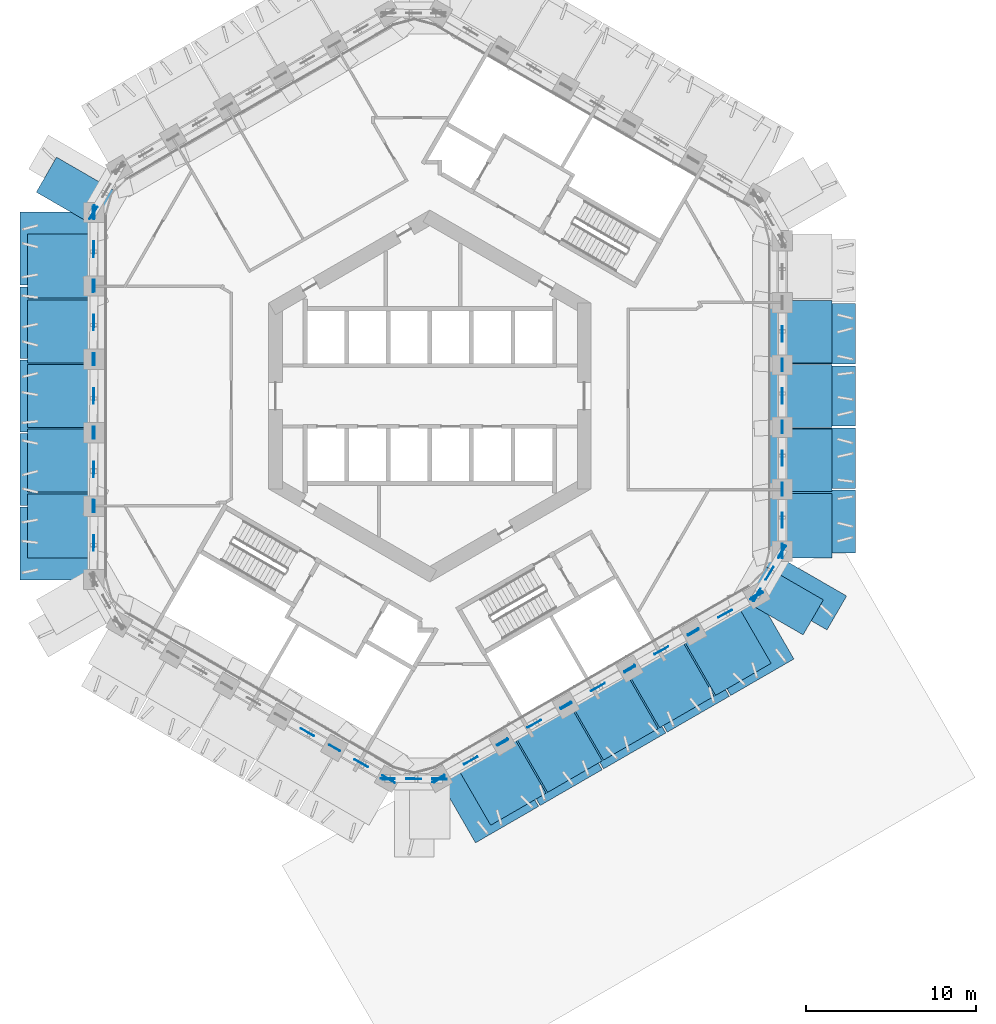
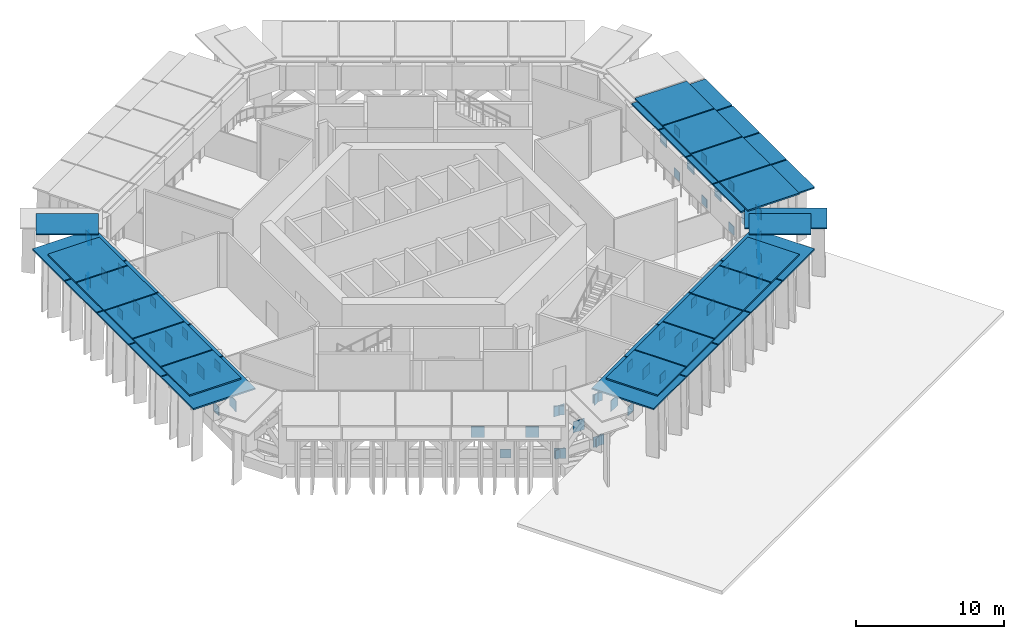
# One storey, part 9 of 16: 92 discrete accessories.
"""IFC4 building model written with IfcOpenShell, lengths in metres."""

from ifc_helpers import new_model, si_unit, direction, frame, origin, origin_2d, place, context, subcontext, project, spatial, rectangle, extrude, material, layer, layer_set, type_object, element, save


model = new_model("IFC4")

# Units and contexts
model_context = context("Model", 3, precision=1e-05, world=origin(), true_north=direction((0.0, 1.0)))
body_context = subcontext(model_context, "Body", "Model", "MODEL_VIEW")
ifc_project = project(units=[si_unit("LENGTHUNIT", "METRE"), si_unit("AREAUNIT", "SQUARE_METRE"), si_unit("VOLUMEUNIT", "CUBIC_METRE"), si_unit("PLANEANGLEUNIT", "RADIAN"), si_unit("MASSUNIT", "GRAM", prefix="KILO")], contexts=[model_context])

# Site, building, storey
site_placement = place(None, origin())
site = spatial("IfcSite", under=ifc_project, at=site_placement, CompositionType="ELEMENT")
building_placement = place(site_placement, origin())
building = spatial("IfcBuilding", under=site, at=building_placement, Name="Ayvan Gate Tower", CompositionType="ELEMENT")
storey_placement = place(building_placement, frame((0.0, 0.0, 78.300048828125)))
storey = spatial("IfcBuildingStorey", under=building, at=storey_placement, Name="L20", CompositionType="ELEMENT", Elevation=78.300048828125)

# Discrete accessories
ifc_material_1 = material(Name="Stainless steel 316", Category="steel")
ifc_layer_1 = layer(ifc_material_1, 0.1201171875)
ifc_layer_set_1 = layer_set([ifc_layer_1], Name="Stainless steel 316")
discrete_accessory_type_1 = type_object("IfcDiscreteAccessoryType", Name="Fin carrier bracket", PredefinedType="BRACKET", material=ifc_layer_set_1)
discrete_accessory_1_placement = place(storey_placement, frame((-21.71435546875, -7.660400390625, 4.679931640625), z_axis=(0.0, 0.0, 1.0), x_axis=(0.0, -1.0, 0.0)))
element("IfcDiscreteAccessory", 1, at=discrete_accessory_1_placement, inside=storey, type_object=discrete_accessory_type_1, Name="Fin carrier 42", PredefinedType="BRACKET", context=body_context, shape_type="SweptSolid", body=[
    extrude(rectangle(XDim=3.779541015625, YDim=4.007568359375, at=origin_2d()), origin(), (0.0, 0.0, 1.0), 0.1201171875),
])
for number, where, z_axis, x_axis, name in (
    (2, (-21.71435546875, -3.813720703125, 4.679931640625), (0.0, 0.0, 1.0), (0.0, -1.0, 0.0), "Fin carrier 44"),
    (3, (-21.71435546875, 0.000244140625, 4.679931640625), (0.0, 0.0, 1.0), (0.0, -1.0, 0.0), "Fin carrier 47"),
    (4, (-21.71435546875, 3.814208984375, 4.679931640625), (0.0, 0.0, 1.0), (0.0, -1.0, 0.0), "Fin carrier 50"),
):
    element("IfcDiscreteAccessory", number, at=place(storey_placement, frame(where, z_axis=z_axis, x_axis=x_axis)), inside=storey, type_object=discrete_accessory_type_1, Name=name, PredefinedType="BRACKET", context=body_context, shape_type="SweptSolid", body=[
        extrude(rectangle(XDim=3.714111328125, YDim=4.007568359375, at=origin_2d()), origin(), (0.0, 0.0, 1.0), 0.1201171875),
    ])
discrete_accessory_2_placement = place(storey_placement, frame((-21.71435546875, 7.66064453125, 4.679931640625), z_axis=(0.0, 0.0, 1.0), x_axis=(0.0, -1.0, 0.0)))
element("IfcDiscreteAccessory", 5, at=discrete_accessory_2_placement, inside=storey, type_object=discrete_accessory_type_1, Name="Fin carrier 53", PredefinedType="BRACKET", context=body_context, shape_type="SweptSolid", body=[
    extrude(rectangle(XDim=3.779052734375, YDim=4.007568359375, at=origin_2d()), origin(), (0.0, 0.0, 1.0), 0.1201171875),
])
discrete_accessory_3_placement = place(storey_placement, frame((-20.7939453125, 12.00537109375, 4.679931640625), z_axis=(0.0, 0.0, 1.0), x_axis=(-0.5, -0.866025403784, 0.0)))
element("IfcDiscreteAccessory", 6, at=discrete_accessory_3_placement, inside=storey, type_object=discrete_accessory_type_1, Name="Fin carrier 85", PredefinedType="BRACKET", context=body_context, shape_type="SweptSolid", body=[
    extrude(rectangle(XDim=2.386474609375, YDim=4.201171875, at=origin_2d()), origin(), (0.0, 0.0, 1.0), 0.1201171875),
])
discrete_accessory_4_placement = place(storey_placement, frame((4.22265625, -22.635498046875, 4.679931640625), z_axis=(0.0, 0.0, 1.0), x_axis=(0.866025403784, 0.5, 0.0)))
element("IfcDiscreteAccessory", 7, at=discrete_accessory_4_placement, inside=storey, type_object=discrete_accessory_type_1, Name="Fin carrier 592", PredefinedType="BRACKET", context=body_context, shape_type="SweptSolid", body=[
    extrude(rectangle(XDim=3.779052734375, YDim=4.007568359375, at=origin_2d()), origin(), (0.0, 0.0, 1.0), 0.1201171875),
])
for number, where, z_axis, x_axis, name in (
    (8, (7.553955078125, -20.712158203125, 4.679931640625), (0.0, 0.0, 1.0), (0.866025403784, 0.5, 0.0), "Fin carrier 655"),
    (9, (10.85693359375, -18.80517578125, 4.679931640625), (0.0, 0.0, 1.0), (0.866025403784, 0.5, 0.0), "Fin carrier 701"),
    (10, (14.159912109375, -16.898193359375, 4.679931640625), (0.0, 0.0, 1.0), (0.866025403784, 0.5, 0.0), "Fin carrier 765"),
):
    element("IfcDiscreteAccessory", number, at=place(storey_placement, frame(where, z_axis=z_axis, x_axis=x_axis)), inside=storey, type_object=discrete_accessory_type_1, Name=name, PredefinedType="BRACKET", context=body_context, shape_type="SweptSolid", body=[
        extrude(rectangle(XDim=3.714111328125, YDim=4.007568359375, at=origin_2d()), origin(), (0.0, 0.0, 1.0), 0.1201171875),
    ])
discrete_accessory_5_placement = place(storey_placement, frame((17.491455078125, -14.974853515625, 4.679931640625), z_axis=(0.0, 0.0, 1.0), x_axis=(0.866025403784, 0.5, 0.0)))
element("IfcDiscreteAccessory", 11, at=discrete_accessory_5_placement, inside=storey, type_object=discrete_accessory_type_1, Name="Fin carrier 817", PredefinedType="BRACKET", context=body_context, shape_type="SweptSolid", body=[
    extrude(rectangle(XDim=3.779541015625, YDim=4.007568359375, at=origin_2d()), origin(), (0.0, 0.0, 1.0), 0.1201171875),
])
discrete_accessory_6_placement = place(storey_placement, frame((20.7939453125, -12.00537109375, 4.679931640625), z_axis=(0.0, 0.0, 1.0), x_axis=(0.5, 0.866025403784, 0.0)))
element("IfcDiscreteAccessory", 12, at=discrete_accessory_6_placement, inside=storey, type_object=discrete_accessory_type_1, Name="Fin carrier 949", PredefinedType="BRACKET", context=body_context, shape_type="SweptSolid", body=[
    extrude(rectangle(XDim=2.386474609375, YDim=4.201171875, at=origin_2d()), origin(), (0.0, 0.0, 1.0), 0.1201171875),
])
discrete_accessory_7_placement = place(storey_placement, frame((21.71435546875, -7.645263671875, 4.679931640625), z_axis=(0.0, 0.0, 1.0), x_axis=(0.0, 1.0, 0.0)))
element("IfcDiscreteAccessory", 13, at=discrete_accessory_7_placement, inside=storey, type_object=discrete_accessory_type_1, Name="Fin carrier 959", PredefinedType="BRACKET", context=body_context, shape_type="SweptSolid", body=[
    extrude(rectangle(XDim=3.81005859375, YDim=4.007568359375, at=origin_2d()), origin(), (0.0, 0.0, 1.0), 0.1201171875),
])
discrete_accessory_8_placement = place(storey_placement, frame((21.71435546875, -3.793701171875, 4.679931640625), z_axis=(0.0, 0.0, 1.0), x_axis=(0.0, 1.0, 0.0)))
element("IfcDiscreteAccessory", 14, at=discrete_accessory_8_placement, inside=storey, type_object=discrete_accessory_type_1, Name="Fin carrier 965", PredefinedType="BRACKET", context=body_context, shape_type="SweptSolid", body=[
    extrude(rectangle(XDim=3.693115234375, YDim=4.007568359375, at=origin_2d()), origin(), (0.0, 0.0, 1.0), 0.1201171875),
])
discrete_accessory_9_placement = place(storey_placement, frame((21.71435546875, -0.000244140625, 4.679931640625), z_axis=(0.0, 0.0, 1.0), x_axis=(0.0, 1.0, 0.0)))
element("IfcDiscreteAccessory", 15, at=discrete_accessory_9_placement, inside=storey, type_object=discrete_accessory_type_1, Name="Fin carrier 971", PredefinedType="BRACKET", context=body_context, shape_type="SweptSolid", body=[
    extrude(rectangle(XDim=3.694091796875, YDim=4.007568359375, at=origin_2d()), origin(), (0.0, 0.0, 1.0), 0.1201171875),
])
discrete_accessory_10_placement = place(storey_placement, frame((21.71435546875, 3.793212890625, 4.679931640625), z_axis=(0.0, 0.0, 1.0), x_axis=(0.0, 1.0, 0.0)))
element("IfcDiscreteAccessory", 16, at=discrete_accessory_10_placement, inside=storey, type_object=discrete_accessory_type_1, Name="Fin carrier 982", PredefinedType="BRACKET", context=body_context, shape_type="SweptSolid", body=[
    extrude(rectangle(XDim=3.693115234375, YDim=4.007568359375, at=origin_2d()), origin(), (0.0, 0.0, 1.0), 0.1201171875),
])
discrete_accessory_11_placement = place(storey_placement, frame((-21.7529296875, -8.693115234375, 4.5), z_axis=(0.0, 0.0, 1.0), x_axis=(0.0, -1.0, 0.0)))
element("IfcDiscreteAccessory", 17, at=discrete_accessory_11_placement, inside=storey, type_object=discrete_accessory_type_1, Name="Fin carrier 1029", PredefinedType="BRACKET", context=body_context, shape_type="SweptSolid", body=[
    extrude(rectangle(XDim=4.29833984375, YDim=4.8349609375, at=origin_2d()), origin(), (0.0, 0.0, 1.0), 0.1201171875),
])
for number, where, z_axis, x_axis, name in (
    (18, (-21.7529296875, -4.329345703125, 4.5), (0.0, 0.0, 1.0), (0.0, -1.0, 0.0), "Fin carrier 1030"),
    (19, (-21.7529296875, -0.000244140625, 4.5), (0.0, 0.0, 1.0), (0.0, -1.0, 0.0), "Fin carrier 1031"),
    (20, (-21.7529296875, 4.32861328125, 4.5), (0.0, 0.0, 1.0), (0.0, -1.0, 0.0), "Fin carrier 1032"),
):
    element("IfcDiscreteAccessory", number, at=place(storey_placement, frame(where, z_axis=z_axis, x_axis=x_axis)), inside=storey, type_object=discrete_accessory_type_1, Name=name, PredefinedType="BRACKET", context=body_context, shape_type="SweptSolid", body=[
        extrude(rectangle(XDim=4.22900390625, YDim=4.8349609375, at=origin_2d()), origin(), (0.0, 0.0, 1.0), 0.1201171875),
    ])
for number, where, z_axis, x_axis, name in (
    (21, (-21.7529296875, 8.692626953125, 4.5), (0.0, 0.0, 1.0), (0.0, -1.0, 0.0), "Fin carrier 1033"),
    (22, (3.348388671875, -23.18505859375, 4.5), (0.0, 0.0, 1.0), (0.866025403784, 0.5, 0.0), "Fin carrier 1090"),
):
    element("IfcDiscreteAccessory", number, at=place(storey_placement, frame(where, z_axis=z_axis, x_axis=x_axis)), inside=storey, type_object=discrete_accessory_type_1, Name=name, PredefinedType="BRACKET", context=body_context, shape_type="SweptSolid", body=[
        extrude(rectangle(XDim=4.299072265625, YDim=4.8349609375, at=origin_2d()), origin(), (0.0, 0.0, 1.0), 0.1201171875),
    ])
for number, where, z_axis, x_axis, name in (
    (23, (7.127685546875, -21.0029296875, 4.5), (0.0, 0.0, 1.0), (0.866025403784, 0.5, 0.0), "Fin carrier 1096"),
    (24, (10.876708984375, -18.838623046875, 4.5), (0.0, 0.0, 1.0), (0.866025403784, 0.5, 0.0), "Fin carrier 1102"),
    (25, (14.625732421875, -16.674072265625, 4.5), (0.0, 0.0, 1.0), (0.866025403784, 0.5, 0.0), "Fin carrier 1108"),
):
    element("IfcDiscreteAccessory", number, at=place(storey_placement, frame(where, z_axis=z_axis, x_axis=x_axis)), inside=storey, type_object=discrete_accessory_type_1, Name=name, PredefinedType="BRACKET", context=body_context, shape_type="SweptSolid", body=[
        extrude(rectangle(XDim=4.22900390625, YDim=4.8349609375, at=origin_2d()), origin(), (0.0, 0.0, 1.0), 0.1201171875),
    ])
discrete_accessory_12_placement = place(storey_placement, frame((18.40478515625, -14.4921875, 4.5), z_axis=(0.0, 0.0, 1.0), x_axis=(0.866025403784, 0.5, 0.0)))
element("IfcDiscreteAccessory", 26, at=discrete_accessory_12_placement, inside=storey, type_object=discrete_accessory_type_1, Name="Fin carrier 1114", PredefinedType="BRACKET", context=body_context, shape_type="SweptSolid", body=[
    extrude(rectangle(XDim=4.29833984375, YDim=4.8349609375, at=origin_2d()), origin(), (0.0, 0.0, 1.0), 0.1201171875),
])
discrete_accessory_13_placement = place(storey_placement, frame((21.60302734375, -11.408203125, 4.5), z_axis=(0.0, 0.0, 1.0), x_axis=(0.5, 0.866025403784, 0.0)))
element("IfcDiscreteAccessory", 27, at=discrete_accessory_13_placement, inside=storey, type_object=discrete_accessory_type_1, Name="Fin carrier 1130", PredefinedType="BRACKET", context=body_context, shape_type="SweptSolid", body=[
    extrude(rectangle(XDim=2.314453125, YDim=5.5478515625, at=origin_2d()), origin(), (0.0, 0.0, 1.0), 0.1201171875),
])
discrete_accessory_14_placement = place(storey_placement, frame((22.2138671875, -7.3955078125, 4.5), z_axis=(0.0, 0.0, 1.0), x_axis=(0.0, 1.0, 0.0)))
element("IfcDiscreteAccessory", 28, at=discrete_accessory_14_placement, inside=storey, type_object=discrete_accessory_type_1, Name="Fin carrier 1132", PredefinedType="BRACKET", context=body_context, shape_type="SweptSolid", body=[
    extrude(rectangle(XDim=3.700927734375, YDim=5.756591796875, at=origin_2d()), origin(), (0.0, 0.0, 1.0), 0.1201171875),
])
discrete_accessory_15_placement = place(storey_placement, frame((22.2138671875, -3.663330078125, 4.5), z_axis=(0.0, 0.0, 1.0), x_axis=(0.0, 1.0, 0.0)))
element("IfcDiscreteAccessory", 29, at=discrete_accessory_15_placement, inside=storey, type_object=discrete_accessory_type_1, Name="Fin carrier 1133", PredefinedType="BRACKET", context=body_context, shape_type="SweptSolid", body=[
    extrude(rectangle(XDim=3.56298828125, YDim=5.756591796875, at=origin_2d()), origin(), (0.0, 0.0, 1.0), 0.1201171875),
])
discrete_accessory_16_placement = place(storey_placement, frame((22.2138671875, 0.0, 4.5), z_axis=(0.0, 0.0, 1.0), x_axis=(0.0, 1.0, 0.0)))
element("IfcDiscreteAccessory", 30, at=discrete_accessory_16_placement, inside=storey, type_object=discrete_accessory_type_1, Name="Fin carrier 1134", PredefinedType="BRACKET", context=body_context, shape_type="SweptSolid", body=[
    extrude(rectangle(XDim=3.56396484375, YDim=5.756591796875, at=origin_2d()), origin(), (0.0, 0.0, 1.0), 0.1201171875),
])
discrete_accessory_17_placement = place(storey_placement, frame((22.2138671875, 3.66357421875, 4.5), z_axis=(0.0, 0.0, 1.0), x_axis=(0.0, 1.0, 0.0)))
element("IfcDiscreteAccessory", 31, at=discrete_accessory_17_placement, inside=storey, type_object=discrete_accessory_type_1, Name="Fin carrier 1135", PredefinedType="BRACKET", context=body_context, shape_type="SweptSolid", body=[
    extrude(rectangle(XDim=3.56298828125, YDim=5.756591796875, at=origin_2d()), origin(), (0.0, 0.0, 1.0), 0.1201171875),
])
ifc_material_2 = material(Name="Steel S460ML", Category="steel")
ifc_layer_2 = layer(ifc_material_2, 0.044921875)
ifc_layer_set_2 = layer_set([ifc_layer_2], Name="Steel S460ML")
discrete_accessory_type_2 = type_object("IfcDiscreteAccessoryType", Name="Gusset plate 45 mm", PredefinedType="BRACKET", material=ifc_layer_set_2)
for number, where, z_axis, x_axis, name in (
    (32, (20.78466796875, -9.194580078125, 0.08984375), (0.0, 0.0, 1.0), (0.0, 1.0, 0.0), "Gusset plate BT1-DA-1"),
    (33, (20.78466796875, -5.473876953125, 3.64013671875), (0.0, 0.0, 1.0), (0.0, 1.0, 0.0), "Gusset plate BT1-DA-1"),
    (34, (-19.793212890625, 10.84033203125, 3.64013671875), (0.0, 0.0, 1.0), (0.489418980472, 0.872048772463, 0.0), "Gusset plate BT1-DA-18"),
    (35, (-19.85498046875, 10.8046875, 0.08984375), (0.0, 0.0, 1.0), (-0.014407194518, 0.999896210987, 0.0), "Gusset plate BT1-DA-19"),
    (36, (-19.793212890625, 6.504150390625, 3.64013671875), (0.0, 0.0, 1.0), (-0.014407194518, 0.999896210987, 0.0), "Gusset plate BT1-DA-19"),
    (37, (20.78466796875, -1.82470703125, 3.64013671875), (0.0, 0.0, 1.0), (0.0, 1.0, 0.0), "Gusset plate BT1-DA-2"),
    (38, (-19.793212890625, 2.168212890625, 3.64013671875), (0.0, 0.0, 1.0), (-0.014360075504, 0.9998968888, 0.0), "Gusset plate BT1-DA-20"),
    (39, (-19.793212890625, -2.168212890625, 3.64013671875), (0.0, 0.0, 1.0), (-0.014312956457, 0.999897564392, 0.0), "Gusset plate BT1-DA-21"),
    (40, (-19.793212890625, -6.504150390625, 3.64013671875), (0.0, 0.0, 1.0), (-0.014265837378, 0.999898237764, 0.0), "Gusset plate BT1-DA-22"),
    (41, (-2.491455078125, -22.5615234375, 3.64013671875), (0.0, 0.0, 1.0), (-0.866025403784, 0.5, 0.0), "Gusset plate BT1-DA-29"),
    (42, (20.78466796875, 1.82470703125, 3.64013671875), (0.0, 0.0, 1.0), (0.0, 1.0, 0.0), "Gusset plate BT1-DA-3"),
    (43, (-2.429443359375, -22.597412109375, 0.08984375), (0.0, 0.0, 1.0), (0.999925880528, 0.012175116049, 0.0), "Gusset plate BT1-DA-30"),
    (44, (0.508544921875, -22.5615234375, 3.64013671875), (0.0, 0.0, 1.0), (0.999925880528, 0.012175116049, 0.0), "Gusset plate BT1-DA-30"),
    (45, (0.570556640625, -22.597412109375, 0.08984375), (0.0, 0.0, 1.0), (0.858731922603, 0.512425101944, 0.0), "Gusset plate BT1-DA-31"),
    (46, (4.263916015625, -20.3935546875, 3.64013671875), (0.0, 0.0, 1.0), (0.858731922603, 0.512425101944, 0.0), "Gusset plate BT1-DA-31"),
    (47, (8.01904296875, -18.225341796875, 3.64013671875), (0.0, 0.0, 1.0), (0.858756069114, 0.512384634586, 0.0), "Gusset plate BT1-DA-32"),
    (48, (11.774169921875, -16.057373046875, 3.64013671875), (0.0, 0.0, 1.0), (0.858780213717, 0.512344166091, 0.0), "Gusset plate BT1-DA-33"),
    (49, (15.529296875, -13.889404296875, 3.64013671875), (0.0, 0.0, 1.0), (0.858804356414, 0.512303696458, 0.0), "Gusset plate BT1-DA-34"),
    (50, (19.28466796875, -11.72119140625, 3.64013671875), (0.0, 0.0, 1.0), (0.858828497203, 0.512263225687, 0.0), "Gusset plate BT1-DA-35"),
    (51, (19.28466796875, -11.792724609375, 0.08984375), (0.0, 0.0, 1.0), (0.489848128624, 0.87180778322, 0.0), "Gusset plate BT1-DA-36"),
    (52, (20.78466796875, -9.123046875, 3.64013671875), (0.0, 0.0, 1.0), (0.489848128624, 0.87180778322, 0.0), "Gusset plate BT1-DA-36"),
    (53, (20.78466796875, -5.516845703125, 0.08984375), (0.0, 0.0, 1.0), (0.0, 1.0, 0.0), "Gusset plate BT1-DB-1"),
):
    element("IfcDiscreteAccessory", number, at=place(storey_placement, frame(where, z_axis=z_axis, x_axis=x_axis)), inside=storey, type_object=discrete_accessory_type_2, Name=name, PredefinedType="BRACKET", context=body_context, shape_type="SweptSolid", body=[
        extrude(rectangle(XDim=0.719970703125, YDim=0.044921875, at=origin_2d()), origin(), (0.0, 0.0, 1.0), 0.719970703125),
    ])
discrete_accessory_18_placement = place(storey_placement, frame((20.78466796875, -7.326904296875, 1.7841796875), z_axis=(0.0, 0.0, 1.0), x_axis=(0.0, 1.0, 0.0)))
element("IfcDiscreteAccessory", 54, at=discrete_accessory_18_placement, inside=storey, type_object=discrete_accessory_type_2, Name="Gusset plate BT1-DB-1", PredefinedType="BRACKET", context=body_context, shape_type="SweptSolid", body=[
    extrude(rectangle(XDim=0.898193359375, YDim=0.044921875, at=origin_2d()), origin(), (0.0, 0.0, 1.0), 0.8955078125),
])
discrete_accessory_19_placement = place(storey_placement, frame((-19.85498046875, 10.8046875, 0.0361328125), z_axis=(0.0, 0.0, 1.0), x_axis=(0.510083623173, 0.860124814995, 0.0)))
element("IfcDiscreteAccessory", 55, at=discrete_accessory_19_placement, inside=storey, type_object=discrete_accessory_type_2, Name="Gusset plate BT1-DB-18", PredefinedType="BRACKET", context=body_context, shape_type="SweptSolid", body=[
    extrude(rectangle(XDim=0.827880859375, YDim=0.044921875, at=origin_2d()), origin(), (0.0, 0.0, 1.0), 0.827880859375),
])
discrete_accessory_20_placement = place(storey_placement, frame((-19.85498046875, 6.48291015625, 0.08984375), z_axis=(0.0, 0.0, 1.0), x_axis=(0.014218718268, 0.999898908916, 0.0)))
element("IfcDiscreteAccessory", 56, at=discrete_accessory_20_placement, inside=storey, type_object=discrete_accessory_type_2, Name="Gusset plate BT1-DB-19", PredefinedType="BRACKET", context=body_context, shape_type="SweptSolid", body=[
    extrude(rectangle(XDim=0.719970703125, YDim=0.044921875, at=origin_2d()), origin(), (0.0, 0.0, 1.0), 0.719970703125),
])
discrete_accessory_21_placement = place(storey_placement, frame((-19.82421875, 8.657958984375, 1.7802734375), z_axis=(0.0, 0.0, 1.0), x_axis=(0.014218718268, 0.999898908916, 0.0)))
element("IfcDiscreteAccessory", 57, at=discrete_accessory_21_placement, inside=storey, type_object=discrete_accessory_type_2, Name="Gusset plate BT1-DB-19", PredefinedType="BRACKET", context=body_context, shape_type="SweptSolid", body=[
    extrude(rectangle(XDim=0.920654296875, YDim=0.044921875, at=origin_2d()), origin(), (0.0, 0.0, 1.0), 0.883544921875),
])
discrete_accessory_22_placement = place(storey_placement, frame((20.78466796875, -1.8388671875, 0.08984375), z_axis=(0.0, 0.0, 1.0), x_axis=(0.0, 1.0, 0.0)))
element("IfcDiscreteAccessory", 58, at=discrete_accessory_22_placement, inside=storey, type_object=discrete_accessory_type_2, Name="Gusset plate BT1-DB-2", PredefinedType="BRACKET", context=body_context, shape_type="SweptSolid", body=[
    extrude(rectangle(XDim=0.719970703125, YDim=0.044921875, at=origin_2d()), origin(), (0.0, 0.0, 1.0), 0.719970703125),
])
discrete_accessory_23_placement = place(storey_placement, frame((20.78466796875, -3.66357421875, 1.78466796875), z_axis=(0.0, 0.0, 1.0), x_axis=(0.0, 1.0, 0.0)))
element("IfcDiscreteAccessory", 59, at=discrete_accessory_23_placement, inside=storey, type_object=discrete_accessory_type_2, Name="Gusset plate BT1-DB-2", PredefinedType="BRACKET", context=body_context, shape_type="SweptSolid", body=[
    extrude(rectangle(XDim=0.89892578125, YDim=0.044921875, at=origin_2d()), origin(), (0.0, 0.0, 1.0), 0.894775390625),
])
discrete_accessory_24_placement = place(storey_placement, frame((-19.85498046875, 2.160888671875, 0.08984375), z_axis=(0.0, 0.0, 1.0), x_axis=(0.014265837378, 0.999898237764, 0.0)))
element("IfcDiscreteAccessory", 60, at=discrete_accessory_24_placement, inside=storey, type_object=discrete_accessory_type_2, Name="Gusset plate BT1-DB-20", PredefinedType="BRACKET", context=body_context, shape_type="SweptSolid", body=[
    extrude(rectangle(XDim=0.719970703125, YDim=0.044921875, at=origin_2d()), origin(), (0.0, 0.0, 1.0), 0.719970703125),
])
discrete_accessory_25_placement = place(storey_placement, frame((-19.82421875, 4.3291015625, 1.7802734375), z_axis=(0.0, 0.0, 1.0), x_axis=(0.014265837378, 0.999898237764, 0.0)))
element("IfcDiscreteAccessory", 61, at=discrete_accessory_25_placement, inside=storey, type_object=discrete_accessory_type_2, Name="Gusset plate BT1-DB-20", PredefinedType="BRACKET", context=body_context, shape_type="SweptSolid", body=[
    extrude(rectangle(XDim=0.92041015625, YDim=0.044921875, at=origin_2d()), origin(), (0.0, 0.0, 1.0), 0.8837890625),
])
discrete_accessory_26_placement = place(storey_placement, frame((-19.85498046875, -2.160888671875, 0.08984375), z_axis=(0.0, 0.0, 1.0), x_axis=(0.014312956457, 0.999897564392, 0.0)))
element("IfcDiscreteAccessory", 62, at=discrete_accessory_26_placement, inside=storey, type_object=discrete_accessory_type_2, Name="Gusset plate BT1-DB-21", PredefinedType="BRACKET", context=body_context, shape_type="SweptSolid", body=[
    extrude(rectangle(XDim=0.719970703125, YDim=0.044921875, at=origin_2d()), origin(), (0.0, 0.0, 1.0), 0.719970703125),
])
discrete_accessory_27_placement = place(storey_placement, frame((-19.82421875, 0.0, 1.7802734375), z_axis=(0.0, 0.0, 1.0), x_axis=(0.014312956457, 0.999897564392, 0.0)))
element("IfcDiscreteAccessory", 63, at=discrete_accessory_27_placement, inside=storey, type_object=discrete_accessory_type_2, Name="Gusset plate BT1-DB-21", PredefinedType="BRACKET", context=body_context, shape_type="SweptSolid", body=[
    extrude(rectangle(XDim=0.920166015625, YDim=0.044921875, at=origin_2d()), origin(), (0.0, 0.0, 1.0), 0.884033203125),
])
discrete_accessory_28_placement = place(storey_placement, frame((-19.85498046875, -6.48291015625, 0.08984375), z_axis=(0.0, 0.0, 1.0), x_axis=(0.014360075504, 0.9998968888, 0.0)))
element("IfcDiscreteAccessory", 64, at=discrete_accessory_28_placement, inside=storey, type_object=discrete_accessory_type_2, Name="Gusset plate BT1-DB-22", PredefinedType="BRACKET", context=body_context, shape_type="SweptSolid", body=[
    extrude(rectangle(XDim=0.719970703125, YDim=0.044921875, at=origin_2d()), origin(), (0.0, 0.0, 1.0), 0.719970703125),
])
discrete_accessory_29_placement = place(storey_placement, frame((-19.82421875, -4.3291015625, 1.77978515625), z_axis=(0.0, 0.0, 1.0), x_axis=(0.014360075504, 0.9998968888, 0.0)))
element("IfcDiscreteAccessory", 65, at=discrete_accessory_29_placement, inside=storey, type_object=discrete_accessory_type_2, Name="Gusset plate BT1-DB-22", PredefinedType="BRACKET", context=body_context, shape_type="SweptSolid", body=[
    extrude(rectangle(XDim=0.919921875, YDim=0.044921875, at=origin_2d()), origin(), (0.0, 0.0, 1.0), 0.884521484375),
])
discrete_accessory_30_placement = place(storey_placement, frame((-19.82421875, -8.657958984375, 1.77978515625), z_axis=(0.0, 0.0, 1.0), x_axis=(0.014407194518, 0.999896210987, 0.0)))
element("IfcDiscreteAccessory", 66, at=discrete_accessory_30_placement, inside=storey, type_object=discrete_accessory_type_2, Name="Gusset plate BT1-DB-23", PredefinedType="BRACKET", context=body_context, shape_type="SweptSolid", body=[
    extrude(rectangle(XDim=0.919677734375, YDim=0.044921875, at=origin_2d()), origin(), (0.0, 0.0, 1.0), 0.884765625),
])
discrete_accessory_31_placement = place(storey_placement, frame((-5.614501953125, -20.75830078125, 0.08984375), z_axis=(0.0, 0.0, 1.0), x_axis=(-0.866025403784, 0.5, 0.0)))
element("IfcDiscreteAccessory", 67, at=discrete_accessory_31_placement, inside=storey, type_object=discrete_accessory_type_2, Name="Gusset plate BT1-DB-28", PredefinedType="BRACKET", context=body_context, shape_type="SweptSolid", body=[
    extrude(rectangle(XDim=0.719970703125, YDim=0.044921875, at=origin_2d()), origin(), (0.0, 0.0, 1.0), 0.719970703125),
])
discrete_accessory_32_placement = place(storey_placement, frame((-7.219482421875, -19.831787109375, 1.78515625), z_axis=(0.0, 0.0, 1.0), x_axis=(-0.866025403784, 0.5, 0.0)))
element("IfcDiscreteAccessory", 68, at=discrete_accessory_32_placement, inside=storey, type_object=discrete_accessory_type_2, Name="Gusset plate BT1-DB-28", PredefinedType="BRACKET", context=body_context, shape_type="SweptSolid", body=[
    extrude(rectangle(XDim=0.900390625, YDim=0.044921875, at=origin_2d()), origin(), (0.0, 0.0, 1.0), 0.893310546875),
])
discrete_accessory_33_placement = place(storey_placement, frame((-2.429443359375, -22.597412109375, 0.0361328125), z_axis=(0.0, 0.0, 1.0), x_axis=(-0.866025403784, 0.5, 0.0)))
element("IfcDiscreteAccessory", 69, at=discrete_accessory_33_placement, inside=storey, type_object=discrete_accessory_type_2, Name="Gusset plate BT1-DB-29", PredefinedType="BRACKET", context=body_context, shape_type="SweptSolid", body=[
    extrude(rectangle(XDim=0.827880859375, YDim=0.044921875, at=origin_2d()), origin(), (0.0, 0.0, 1.0), 0.827880859375),
])
discrete_accessory_34_placement = place(storey_placement, frame((-4.046875, -21.66357421875, 1.78564453125), z_axis=(0.0, 0.0, 1.0), x_axis=(-0.866025403784, 0.5, 0.0)))
element("IfcDiscreteAccessory", 70, at=discrete_accessory_34_placement, inside=storey, type_object=discrete_accessory_type_2, Name="Gusset plate BT1-DB-29", PredefinedType="BRACKET", context=body_context, shape_type="SweptSolid", body=[
    extrude(rectangle(XDim=0.90087890625, YDim=0.044921875, at=origin_2d()), origin(), (0.0, 0.0, 1.0), 0.892578125),
])
discrete_accessory_35_placement = place(storey_placement, frame((20.78466796875, 1.8388671875, 0.08984375), z_axis=(0.0, 0.0, 1.0), x_axis=(0.0, 1.0, 0.0)))
element("IfcDiscreteAccessory", 71, at=discrete_accessory_35_placement, inside=storey, type_object=discrete_accessory_type_2, Name="Gusset plate BT1-DB-3", PredefinedType="BRACKET", context=body_context, shape_type="SweptSolid", body=[
    extrude(rectangle(XDim=0.719970703125, YDim=0.044921875, at=origin_2d()), origin(), (0.0, 0.0, 1.0), 0.719970703125),
])
discrete_accessory_36_placement = place(storey_placement, frame((20.78466796875, 0.0, 1.784912109375), z_axis=(0.0, 0.0, 1.0), x_axis=(0.0, 1.0, 0.0)))
element("IfcDiscreteAccessory", 72, at=discrete_accessory_36_placement, inside=storey, type_object=discrete_accessory_type_2, Name="Gusset plate BT1-DB-3", PredefinedType="BRACKET", context=body_context, shape_type="SweptSolid", body=[
    extrude(rectangle(XDim=0.899658203125, YDim=0.044921875, at=origin_2d()), origin(), (0.0, 0.0, 1.0), 0.89404296875),
])
discrete_accessory_37_placement = place(storey_placement, frame((0.570556640625, -22.597412109375, 0.0361328125), z_axis=(0.0, 0.0, 1.0), x_axis=(-0.999931751798, 0.011682968225, 0.0)))
element("IfcDiscreteAccessory", 73, at=discrete_accessory_37_placement, inside=storey, type_object=discrete_accessory_type_2, Name="Gusset plate BT1-DB-30", PredefinedType="BRACKET", context=body_context, shape_type="SweptSolid", body=[
    extrude(rectangle(XDim=0.827880859375, YDim=0.044921875, at=origin_2d()), origin(), (0.0, 0.0, 1.0), 0.827880859375),
])
discrete_accessory_38_placement = place(storey_placement, frame((-0.96044921875, -22.579345703125, 1.767578125), z_axis=(0.0, 0.0, 1.0), x_axis=(-0.999931751798, 0.011682968225, 0.0)))
element("IfcDiscreteAccessory", 74, at=discrete_accessory_38_placement, inside=storey, type_object=discrete_accessory_type_2, Name="Gusset plate BT1-DB-30", PredefinedType="BRACKET", context=body_context, shape_type="SweptSolid", body=[
    extrude(rectangle(XDim=0.887451171875, YDim=0.044921875, at=origin_2d()), origin(), (0.0, 0.0, 1.0), 0.914306640625),
])
discrete_accessory_39_placement = place(storey_placement, frame((4.313232421875, -20.436279296875, 0.08984375), z_axis=(0.0, 0.0, 1.0), x_axis=(0.873047215471, 0.487635683228, 0.0)))
element("IfcDiscreteAccessory", 75, at=discrete_accessory_39_placement, inside=storey, type_object=discrete_accessory_type_2, Name="Gusset plate BT1-DB-31", PredefinedType="BRACKET", context=body_context, shape_type="SweptSolid", body=[
    extrude(rectangle(XDim=0.719970703125, YDim=0.044921875, at=origin_2d()), origin(), (0.0, 0.0, 1.0), 0.719970703125),
])
discrete_accessory_40_placement = place(storey_placement, frame((2.4140625, -21.497314453125, 1.7802734375), z_axis=(0.0, 0.0, 1.0), x_axis=(0.873047215471, 0.487635683228, 0.0)))
element("IfcDiscreteAccessory", 76, at=discrete_accessory_40_placement, inside=storey, type_object=discrete_accessory_type_2, Name="Gusset plate BT1-DB-31", PredefinedType="BRACKET", context=body_context, shape_type="SweptSolid", body=[
    extrude(rectangle(XDim=0.920654296875, YDim=0.044921875, at=origin_2d()), origin(), (0.0, 0.0, 1.0), 0.883544921875),
])
discrete_accessory_41_placement = place(storey_placement, frame((8.05615234375, -18.275390625, 0.08984375), z_axis=(0.0, 0.0, 1.0), x_axis=(0.873070193792, 0.487594541306, 0.0)))
element("IfcDiscreteAccessory", 77, at=discrete_accessory_41_placement, inside=storey, type_object=discrete_accessory_type_2, Name="Gusset plate BT1-DB-32", PredefinedType="BRACKET", context=body_context, shape_type="SweptSolid", body=[
    extrude(rectangle(XDim=0.719970703125, YDim=0.044921875, at=origin_2d()), origin(), (0.0, 0.0, 1.0), 0.719970703125),
])
discrete_accessory_42_placement = place(storey_placement, frame((6.1630859375, -19.332763671875, 1.7802734375), z_axis=(0.0, 0.0, 1.0), x_axis=(0.873070193792, 0.487594541306, 0.0)))
element("IfcDiscreteAccessory", 78, at=discrete_accessory_42_placement, inside=storey, type_object=discrete_accessory_type_2, Name="Gusset plate BT1-DB-32", PredefinedType="BRACKET", context=body_context, shape_type="SweptSolid", body=[
    extrude(rectangle(XDim=0.92041015625, YDim=0.044921875, at=origin_2d()), origin(), (0.0, 0.0, 1.0), 0.8837890625),
])
discrete_accessory_43_placement = place(storey_placement, frame((11.799072265625, -16.114501953125, 0.08984375), z_axis=(0.0, 0.0, 1.0), x_axis=(0.873093170174, 0.487553398301, 0.0)))
element("IfcDiscreteAccessory", 79, at=discrete_accessory_43_placement, inside=storey, type_object=discrete_accessory_type_2, Name="Gusset plate BT1-DB-33", PredefinedType="BRACKET", context=body_context, shape_type="SweptSolid", body=[
    extrude(rectangle(XDim=0.719970703125, YDim=0.044921875, at=origin_2d()), origin(), (0.0, 0.0, 1.0), 0.719970703125),
])
discrete_accessory_44_placement = place(storey_placement, frame((9.912109375, -17.168212890625, 1.7802734375), z_axis=(0.0, 0.0, 1.0), x_axis=(0.873093170174, 0.487553398301, 0.0)))
element("IfcDiscreteAccessory", 80, at=discrete_accessory_44_placement, inside=storey, type_object=discrete_accessory_type_2, Name="Gusset plate BT1-DB-33", PredefinedType="BRACKET", context=body_context, shape_type="SweptSolid", body=[
    extrude(rectangle(XDim=0.920166015625, YDim=0.044921875, at=origin_2d()), origin(), (0.0, 0.0, 1.0), 0.884033203125),
])
discrete_accessory_45_placement = place(storey_placement, frame((15.541748046875, -13.95361328125, 0.08984375), z_axis=(0.0, 0.0, 1.0), x_axis=(0.873116144617, 0.487512254214, 0.0)))
element("IfcDiscreteAccessory", 81, at=discrete_accessory_45_placement, inside=storey, type_object=discrete_accessory_type_2, Name="Gusset plate BT1-DB-34", PredefinedType="BRACKET", context=body_context, shape_type="SweptSolid", body=[
    extrude(rectangle(XDim=0.719970703125, YDim=0.044921875, at=origin_2d()), origin(), (0.0, 0.0, 1.0), 0.719970703125),
])
discrete_accessory_46_placement = place(storey_placement, frame((13.6611328125, -15.00390625, 1.77978515625), z_axis=(0.0, 0.0, 1.0), x_axis=(0.873116144617, 0.487512254214, 0.0)))
element("IfcDiscreteAccessory", 82, at=discrete_accessory_46_placement, inside=storey, type_object=discrete_accessory_type_2, Name="Gusset plate BT1-DB-34", PredefinedType="BRACKET", context=body_context, shape_type="SweptSolid", body=[
    extrude(rectangle(XDim=0.919921875, YDim=0.044921875, at=origin_2d()), origin(), (0.0, 0.0, 1.0), 0.884521484375),
])
discrete_accessory_47_placement = place(storey_placement, frame((19.28466796875, -11.792724609375, 0.0361328125), z_axis=(0.0, 0.0, 1.0), x_axis=(0.873139117122, 0.487471109043, 0.0)))
element("IfcDiscreteAccessory", 83, at=discrete_accessory_47_placement, inside=storey, type_object=discrete_accessory_type_2, Name="Gusset plate BT1-DB-35", PredefinedType="BRACKET", context=body_context, shape_type="SweptSolid", body=[
    extrude(rectangle(XDim=0.827880859375, YDim=0.044921875, at=origin_2d()), origin(), (0.0, 0.0, 1.0), 0.827880859375),
])
discrete_accessory_48_placement = place(storey_placement, frame((17.41015625, -12.83935546875, 1.77978515625), z_axis=(0.0, 0.0, 1.0), x_axis=(0.873139117122, 0.487471109043, 0.0)))
element("IfcDiscreteAccessory", 84, at=discrete_accessory_48_placement, inside=storey, type_object=discrete_accessory_type_2, Name="Gusset plate BT1-DB-35", PredefinedType="BRACKET", context=body_context, shape_type="SweptSolid", body=[
    extrude(rectangle(XDim=0.919677734375, YDim=0.044921875, at=origin_2d()), origin(), (0.0, 0.0, 1.0), 0.884765625),
])
discrete_accessory_49_placement = place(storey_placement, frame((20.78466796875, -9.194580078125, 0.0361328125), z_axis=(0.0, 0.0, 1.0), x_axis=(0.510506900056, 0.859873656414, 0.0)))
element("IfcDiscreteAccessory", 85, at=discrete_accessory_49_placement, inside=storey, type_object=discrete_accessory_type_2, Name="Gusset plate BT1-DB-36", PredefinedType="BRACKET", context=body_context, shape_type="SweptSolid", body=[
    extrude(rectangle(XDim=0.827880859375, YDim=0.044921875, at=origin_2d()), origin(), (0.0, 0.0, 1.0), 0.827880859375),
])
discrete_accessory_50_placement = place(storey_placement, frame((20.03466796875, -10.4580078125, 1.76611328125), z_axis=(0.0, 0.0, 1.0), x_axis=(0.510506900056, 0.859873656414, 0.0)))
element("IfcDiscreteAccessory", 86, at=discrete_accessory_50_placement, inside=storey, type_object=discrete_accessory_type_2, Name="Gusset plate BT1-DB-36", PredefinedType="BRACKET", context=body_context, shape_type="SweptSolid", body=[
    extrude(rectangle(XDim=0.883544921875, YDim=0.044921875, at=origin_2d()), origin(), (0.0, 0.0, 1.0), 0.91748046875),
])
discrete_accessory_51_placement = place(storey_placement, frame((20.78466796875, 3.66357421875, 1.78515625), z_axis=(0.0, 0.0, 1.0), x_axis=(0.0, 1.0, 0.0)))
element("IfcDiscreteAccessory", 87, at=discrete_accessory_51_placement, inside=storey, type_object=discrete_accessory_type_2, Name="Gusset plate BT1-DB-4", PredefinedType="BRACKET", context=body_context, shape_type="SweptSolid", body=[
    extrude(rectangle(XDim=0.900390625, YDim=0.044921875, at=origin_2d()), origin(), (0.0, 0.0, 1.0), 0.893310546875),
])
for number, where, z_axis, x_axis, name in (
    (88, (20.78466796875, -9.123046875, 3.5859375), (0.0, 0.0, 1.0), (0.0, 1.0, 0.0), "Gusset plate BT1-DC-1"),
    (89, (-19.793212890625, 10.84033203125, 3.5859375), (0.0, 0.0, 1.0), (0.014218718268, 0.999898908916, 0.0), "Gusset plate BT1-DC-19"),
    (90, (-2.491455078125, -22.5615234375, 3.5859375), (0.0, 0.0, 1.0), (-0.999931751798, 0.011682968225, 0.0), "Gusset plate BT1-DC-30"),
    (91, (0.508544921875, -22.5615234375, 3.5859375), (0.0, 0.0, 1.0), (0.873047215471, 0.487635683228, 0.0), "Gusset plate BT1-DC-31"),
    (92, (19.28466796875, -11.72119140625, 3.5859375), (0.0, 0.0, 1.0), (0.510506900056, 0.859873656414, 0.0), "Gusset plate BT1-DC-36"),
):
    element("IfcDiscreteAccessory", number, at=place(storey_placement, frame(where, z_axis=z_axis, x_axis=x_axis)), inside=storey, type_object=discrete_accessory_type_2, Name=name, PredefinedType="BRACKET", context=body_context, shape_type="SweptSolid", body=[
        extrude(rectangle(XDim=0.827880859375, YDim=0.044921875, at=origin_2d()), origin(), (0.0, 0.0, 1.0), 0.827880859375),
    ])

save(model, "model.ifc")
